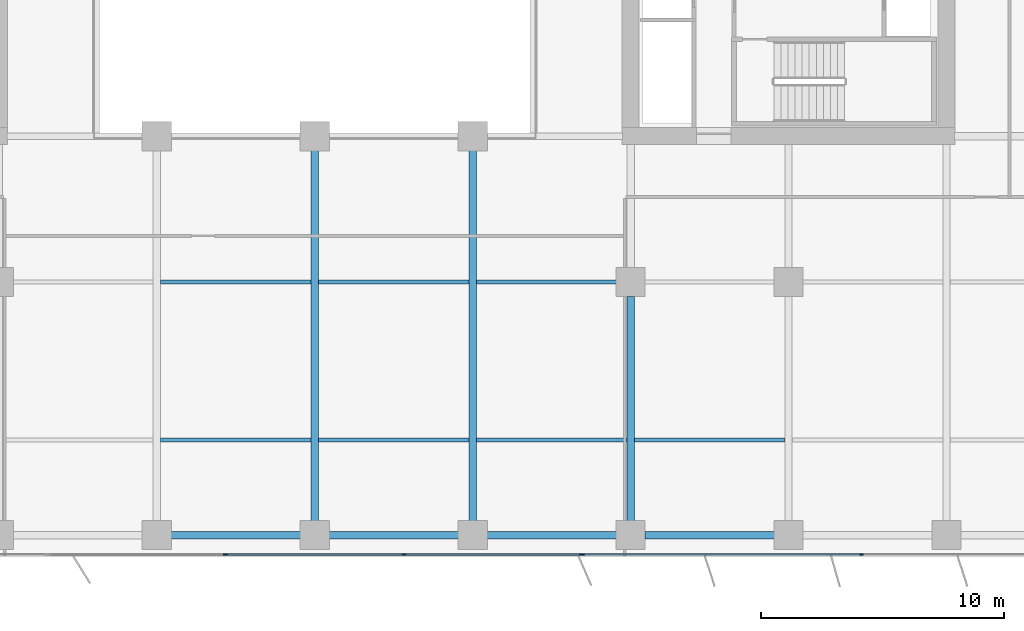
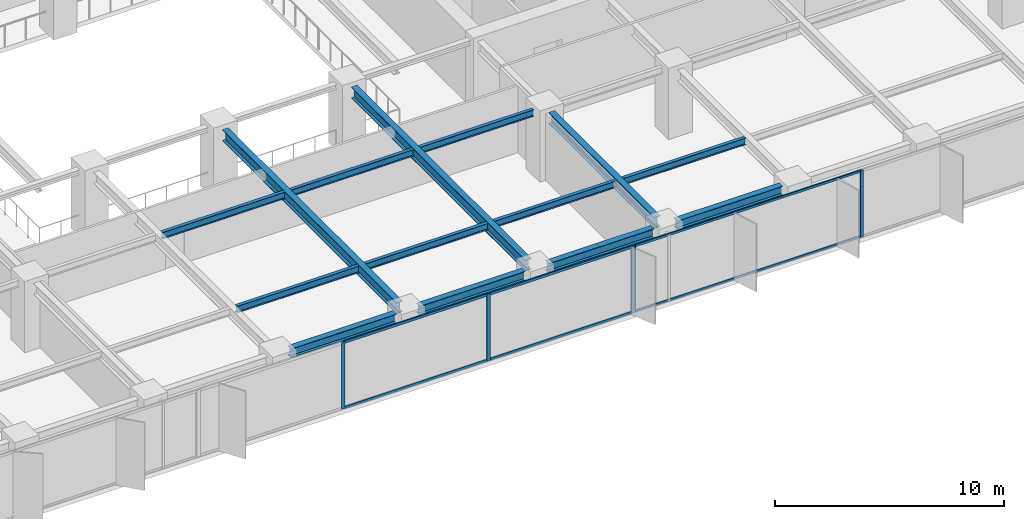
# One storey, part 5 of 20: 14 beams, 11 members, 2 elements without a shape of their own.
"""IFC4 building model written with IfcOpenShell, lengths in metres."""

from ifc_helpers import new_model, si_unit, direction, frame, origin, origin_2d, place, context, subcontext, project, spatial, rectangle, i_section, extrude, material, layer, layer_set, material_profile, profile_set, type_object, element, aggregate, save


model = new_model("IFC4")

# Units and contexts
model_context = context("Model", 3, precision=1e-05, world=origin(), true_north=direction((0.0, 1.0)))
body_context = subcontext(model_context, "Body", "Model", "MODEL_VIEW")
ifc_project = project(units=[si_unit("LENGTHUNIT", "METRE"), si_unit("AREAUNIT", "SQUARE_METRE"), si_unit("VOLUMEUNIT", "CUBIC_METRE"), si_unit("PLANEANGLEUNIT", "RADIAN"), si_unit("MASSUNIT", "GRAM", prefix="KILO")], contexts=[model_context])

# Site, building, storey
site_placement = place(None, origin())
site = spatial("IfcSite", under=ifc_project, at=site_placement, CompositionType="ELEMENT")
building_placement = place(site_placement, origin())
building = spatial("IfcBuilding", under=site, at=building_placement, Name="Putna Gate Headquarters", CompositionType="ELEMENT")
storey_placement = place(building_placement, frame((0.0, 0.0, 89.800048828125)))
storey = spatial("IfcBuildingStorey", under=building, at=storey_placement, Name="L21", CompositionType="ELEMENT", Elevation=89.800048828125)

# Beams
ifc_material_1 = material(Name="Steel S355J2", Category="steel")
ifc_material_profile_1 = material_profile(ifc_material_1, i_section(OverallWidth=0.300048828125, OverallDepth=0.60009765625, WebThickness=0.015380859375, FlangeThickness=0.030029296875, at=origin_2d()), Name="Steel S355J2")
ifc_profile_set_1 = profile_set([ifc_material_profile_1], Name="Steel S355J2")
beam_type_1 = type_object("IfcBeamType", Name="BM-GIRD-Z2-HEB600", PredefinedType="USERDEFINED", material=ifc_profile_set_1)
for number, where, z_axis, x_axis, name in (
    (1, (39.0, 3.16796875, 3.264892578125), (0.0, 1.0, 0.0), (-1.0, 0.0, 0.0), "L21 South Primary Girder X39"),
    (2, (45.5, 3.16796875, 3.264892578125), (0.0, 1.0, 0.0), (-1.0, 0.0, 0.0), "L21 South Primary Girder X45"),
):
    element("IfcBeam", number, at=place(storey_placement, frame(where, z_axis=z_axis, x_axis=x_axis)), inside=storey, type_object=beam_type_1, Name=name, ObjectType="GIRDER", PredefinedType="USERDEFINED", context=body_context, shape_type="SweptSolid", body=[
        extrude(i_section(OverallWidth=0.300048828125, OverallDepth=0.60009765625, WebThickness=0.015380859375, FlangeThickness=0.030029296875, at=origin_2d()), origin(), (0.0, 0.0, 1.0), 15.244140625),
    ])
beam_1_placement = place(storey_placement, frame((52.0, 3.16796875, 3.264892578125), z_axis=(0.0, 1.0, 0.0), x_axis=(-1.0, 0.0, 0.0)))
element("IfcBeam", 3, at=beam_1_placement, inside=storey, type_object=beam_type_1, Name="L21 South Primary Girder X52-1", ObjectType="GIRDER", PredefinedType="USERDEFINED", context=body_context, shape_type="SweptSolid", body=[
    extrude(i_section(OverallWidth=0.300048828125, OverallDepth=0.60009765625, WebThickness=0.015380859375, FlangeThickness=0.030029296875, at=origin_2d()), origin(), (0.0, 0.0, 1.0), 9.244140625),
])
ifc_material_profile_2 = material_profile(ifc_material_1, i_section(OverallWidth=0.169921875, OverallDepth=0.360107421875, WebThickness=0.008056640625, FlangeThickness=0.0126953125, at=origin_2d()), Name="Steel S355J2")
ifc_profile_set_2 = profile_set([ifc_material_profile_2], Name="Steel S355J2")
beam_type_2 = type_object("IfcBeamType", Name="BM-SEC-Z2-IPE360", PredefinedType="BEAM", material=ifc_profile_set_2)
for number, where, z_axis, x_axis, name in (
    (4, (32.654052734375, 6.5, 3.385009765625), (1.0, 0.0, 0.0), (0.0, 1.0, 0.0), "L21 South Secondary Beam 5"),
    (5, (32.654052734375, 13.0, 3.385009765625), (1.0, 0.0, 0.0), (0.0, 1.0, 0.0), "L21 South Secondary Beam 5"),
    (6, (39.154052734375, 6.5, 3.385009765625), (1.0, 0.0, 0.0), (0.0, 1.0, 0.0), "L21 South Secondary Beam 6"),
    (7, (39.154052734375, 13.0, 3.385009765625), (1.0, 0.0, 0.0), (0.0, 1.0, 0.0), "L21 South Secondary Beam 6"),
    (8, (45.654052734375, 6.5, 3.385009765625), (1.0, 0.0, 0.0), (0.0, 1.0, 0.0), "L21 South Secondary Beam 7"),
):
    element("IfcBeam", number, at=place(storey_placement, frame(where, z_axis=z_axis, x_axis=x_axis)), inside=storey, type_object=beam_type_2, Name=name, PredefinedType="BEAM", context=body_context, shape_type="SweptSolid", body=[
        extrude(i_section(OverallWidth=0.169921875, OverallDepth=0.360107421875, WebThickness=0.008056640625, FlangeThickness=0.0126953125, at=origin_2d()), origin(), (0.0, 0.0, 1.0), 6.19189453125),
    ])
beam_2_placement = place(storey_placement, frame((45.654052734375, 13.0, 3.385009765625), z_axis=(1.0, 0.0, 0.0), x_axis=(0.0, 1.0, 0.0)))
element("IfcBeam", 9, at=beam_2_placement, inside=storey, type_object=beam_type_2, Name="L21 South Secondary Beam 7", PredefinedType="BEAM", context=body_context, shape_type="SweptSolid", body=[
    extrude(i_section(OverallWidth=0.169921875, OverallDepth=0.360107421875, WebThickness=0.008056640625, FlangeThickness=0.0126953125, at=origin_2d()), origin(), (0.0, 0.0, 1.0), 5.758056640625),
])
beam_3_placement = place(storey_placement, frame((52.154052734375, 6.5, 3.385009765625), z_axis=(1.0, 0.0, 0.0), x_axis=(0.0, 1.0, 0.0)))
element("IfcBeam", 10, at=beam_3_placement, inside=storey, type_object=beam_type_2, Name="L21 South Secondary Beam 8", PredefinedType="BEAM", context=body_context, shape_type="SweptSolid", body=[
    extrude(i_section(OverallWidth=0.169921875, OverallDepth=0.360107421875, WebThickness=0.008056640625, FlangeThickness=0.0126953125, at=origin_2d()), origin(), (0.0, 0.0, 1.0), 6.19189453125),
])
ifc_material_profile_3 = material_profile(ifc_material_1, i_section(OverallWidth=0.300048828125, OverallDepth=0.489990234375, WebThickness=0.011962890625, FlangeThickness=0.02294921875, at=origin_2d()), Name="Steel S355J2")
ifc_profile_set_3 = profile_set([ifc_material_profile_3], Name="Steel S355J2")
beam_type_3 = type_object("IfcBeamType", Name="BM-SPAN-Z2-HEA500", PredefinedType="SPANDREL", material=ifc_profile_set_3)
for number, where, z_axis, x_axis, name in (
    (11, (33.087890625, 2.580078125, 3.320068359375), (1.0, 0.0, 0.0), (0.0, 1.0, 0.0), "L21 S Perimeter Spandrel 5"),
    (12, (39.587890625, 2.580078125, 3.320068359375), (1.0, 0.0, 0.0), (0.0, 1.0, 0.0), "L21 S Perimeter Spandrel 6"),
    (13, (46.087890625, 2.580078125, 3.320068359375), (1.0, 0.0, 0.0), (0.0, 1.0, 0.0), "L21 S Perimeter Spandrel 7"),
    (14, (52.587890625, 2.580078125, 3.320068359375), (1.0, 0.0, 0.0), (0.0, 1.0, 0.0), "L21 S Perimeter Spandrel 8"),
):
    element("IfcBeam", number, at=place(storey_placement, frame(where, z_axis=z_axis, x_axis=x_axis)), inside=storey, type_object=beam_type_3, Name=name, PredefinedType="SPANDREL", context=body_context, shape_type="SweptSolid", body=[
        extrude(i_section(OverallWidth=0.300048828125, OverallDepth=0.489990234375, WebThickness=0.011962890625, FlangeThickness=0.02294921875, at=origin_2d()), origin(), (0.0, 0.0, 1.0), 5.32421875),
    ])

# Curtain wall, members
ifc_material_2 = material(Name="Anodised bronze aluminium curtain wall", Category="aluminium")
ifc_layer_1 = layer(ifc_material_2, 0.159912109375)
ifc_layer_set_1 = layer_set([ifc_layer_1], Name="Anodised bronze aluminium curtain wall")
curtain_wall_type_1 = type_object("IfcCurtainWallType", Name="CW-SYS-Z2", PredefinedType="USERDEFINED", material=ifc_layer_set_1)
curtain_wall_1_placement = place(storey_placement, origin())
curtain_wall_1 = element("IfcCurtainWall", 15, at=curtain_wall_1_placement, inside=storey, type_object=curtain_wall_type_1, Name="L21 South East Curtain Wall", ObjectType="STICK CURTAIN WALL", PredefinedType="USERDEFINED")
ifc_material_3 = material(Name="Anodised bronze aluminium EN AW-6060", Category="aluminium")
ifc_material_profile_4 = material_profile(ifc_material_3, rectangle(XDim=0.06494140625, YDim=0.159912109375, at=origin_2d()), Name="Anodised bronze aluminium EN AW-6060")
ifc_profile_set_4 = profile_set([ifc_material_profile_4], Name="Anodised bronze aluminium EN AW-6060")
member_type_1 = type_object("IfcMemberType", Name="MULL-CWM-2", PredefinedType="MULLION", material=ifc_profile_set_4)
member_1_placement = place(storey_placement, frame((50.032470703125, 1.780029296875, 0.0), z_axis=(0.0, 0.0, 1.0), x_axis=(0.0, 1.0, 0.0)))
member_1 = element("IfcMember", 16, at=member_1_placement, type_object=member_type_1, Name="CWS-2 mullion 1", PredefinedType="MULLION", context=body_context, shape_type="SweptSolid", body=[
    extrude(rectangle(XDim=0.06494140625, YDim=0.159912109375, at=origin_2d()), origin(), (0.0, 0.0, 1.0), 3.56494140625),
])
member_2_placement = place(storey_placement, frame((61.5, 1.780029296875, 0.0), z_axis=(0.0, 0.0, 1.0), x_axis=(0.0, 1.0, 0.0)))
member_2 = element("IfcMember", 17, at=member_2_placement, type_object=member_type_1, Name="CWS-2 mullion 2", PredefinedType="MULLION", context=body_context, shape_type="SweptSolid", body=[
    extrude(rectangle(XDim=0.06494140625, YDim=0.159912109375, at=origin_2d()), origin(), (0.0, 0.0, 1.0), 3.56494140625),
])

ifc_layer_2 = layer(ifc_material_2, 0.179931640625)
ifc_layer_set_2 = layer_set([ifc_layer_2], Name="Anodised bronze aluminium curtain wall")
curtain_wall_type_2 = type_object("IfcCurtainWallType", Name="CW-SYS-ATR", PredefinedType="USERDEFINED", material=ifc_layer_set_2)
curtain_wall_2_placement = place(storey_placement, origin())
curtain_wall_2 = element("IfcCurtainWall", 18, at=curtain_wall_2_placement, inside=storey, type_object=curtain_wall_type_2, Name="L21 South Atrium Clear Glazing", ObjectType="ATRIUM GLAZING", PredefinedType="USERDEFINED")
ifc_material_profile_5 = material_profile(ifc_material_3, rectangle(XDim=0.070068359375, YDim=0.179931640625, at=origin_2d()), Name="Anodised bronze aluminium EN AW-6060")
ifc_profile_set_5 = profile_set([ifc_material_profile_5], Name="Anodised bronze aluminium EN AW-6060")
member_type_2 = type_object("IfcMemberType", Name="MULL-CWM-AT", PredefinedType="MULLION", material=ifc_profile_set_5)
member_3_placement = place(storey_placement, frame((35.333251953125, 1.780029296875, 0.0), z_axis=(0.0, 0.0, 1.0), x_axis=(0.0, 1.0, 0.0)))
member_3 = element("IfcMember", 19, at=member_3_placement, type_object=member_type_2, Name="CWS-AT mullion 2", PredefinedType="MULLION", context=body_context, shape_type="SweptSolid", body=[
    extrude(rectangle(XDim=0.070068359375, YDim=0.179931640625, at=origin_2d()), origin(), (0.0, 0.0, 1.0), 3.56494140625),
])
member_4_placement = place(storey_placement, frame((42.666748046875, 1.780029296875, 0.0), z_axis=(0.0, 0.0, 1.0), x_axis=(0.0, 1.0, 0.0)))
member_4 = element("IfcMember", 20, at=member_4_placement, type_object=member_type_2, Name="CWS-AT mullion 3", PredefinedType="MULLION", context=body_context, shape_type="SweptSolid", body=[
    extrude(rectangle(XDim=0.070068359375, YDim=0.179931640625, at=origin_2d()), origin(), (0.0, 0.0, 1.0), 3.56494140625),
])
member_5_placement = place(storey_placement, frame((49.965087890625, 1.780029296875, 0.0), z_axis=(0.0, 0.0, 1.0), x_axis=(0.0, 1.0, 0.0)))
member_5 = element("IfcMember", 21, at=member_5_placement, type_object=member_type_2, Name="CWS-AT mullion 4", PredefinedType="MULLION", context=body_context, shape_type="SweptSolid", body=[
    extrude(rectangle(XDim=0.070068359375, YDim=0.179931640625, at=origin_2d()), origin(), (0.0, 0.0, 1.0), 3.56494140625),
])

# Member
ifc_material_profile_6 = material_profile(ifc_material_3, rectangle(XDim=0.06494140625, YDim=0.1201171875, at=origin_2d()), Name="Anodised bronze aluminium EN AW-6060")
ifc_profile_set_6 = profile_set([ifc_material_profile_6], Name="Anodised bronze aluminium EN AW-6060")
member_type_3 = type_object("IfcMemberType", Name="TRAN-CWT-2", PredefinedType="USERDEFINED", material=ifc_profile_set_6)
member_6_placement = place(storey_placement, frame((50.06494140625, 1.780029296875, 0.032470703125), z_axis=(1.0, 0.0, 0.0), x_axis=(0.0, 1.0, 0.0)))
member_6 = element("IfcMember", 22, at=member_6_placement, type_object=member_type_3, Name="CWS-2 transom 1.1", ObjectType="TRANSOM", PredefinedType="USERDEFINED", context=body_context, shape_type="SweptSolid", body=[
    extrude(rectangle(XDim=0.06494140625, YDim=0.1201171875, at=origin_2d()), origin(), (0.0, 0.0, 1.0), 11.402587890625),
])

member_7_placement = place(storey_placement, frame((50.06494140625, 1.780029296875, 3.532470703125), z_axis=(1.0, 0.0, 0.0), x_axis=(0.0, 1.0, 0.0)))
member_7 = element("IfcMember", 23, at=member_7_placement, type_object=member_type_3, Name="CWS-2 transom 1.2", ObjectType="TRANSOM", PredefinedType="USERDEFINED", context=body_context, shape_type="SweptSolid", body=[
    extrude(rectangle(XDim=0.06494140625, YDim=0.1201171875, at=origin_2d()), origin(), (0.0, 0.0, 1.0), 11.402587890625),
])

aggregate(curtain_wall_1, [member_1, member_2, member_6, member_7])

ifc_material_profile_7 = material_profile(ifc_material_3, rectangle(XDim=0.070068359375, YDim=0.139892578125, at=origin_2d()), Name="Anodised bronze aluminium EN AW-6060")
ifc_profile_set_7 = profile_set([ifc_material_profile_7], Name="Anodised bronze aluminium EN AW-6060")
member_type_4 = type_object("IfcMemberType", Name="TRAN-CWT-AT", PredefinedType="USERDEFINED", material=ifc_profile_set_7)
member_8_placement = place(storey_placement, frame((35.368408203125, 1.780029296875, 0.034912109375), z_axis=(1.0, 0.0, 0.0), x_axis=(0.0, 1.0, 0.0)))
member_8 = element("IfcMember", 24, at=member_8_placement, type_object=member_type_4, Name="CWS-AT transom 2.1", ObjectType="TRANSOM", PredefinedType="USERDEFINED", context=body_context, shape_type="SweptSolid", body=[
    extrude(rectangle(XDim=0.070068359375, YDim=0.139892578125, at=origin_2d()), origin(), (0.0, 0.0, 1.0), 7.26318359375),
])

member_9_placement = place(storey_placement, frame((35.368408203125, 1.780029296875, 3.530029296875), z_axis=(1.0, 0.0, 0.0), x_axis=(0.0, 1.0, 0.0)))
member_9 = element("IfcMember", 25, at=member_9_placement, type_object=member_type_4, Name="CWS-AT transom 2.2", ObjectType="TRANSOM", PredefinedType="USERDEFINED", context=body_context, shape_type="SweptSolid", body=[
    extrude(rectangle(XDim=0.070068359375, YDim=0.139892578125, at=origin_2d()), origin(), (0.0, 0.0, 1.0), 7.26318359375),
])

member_10_placement = place(storey_placement, frame((42.70166015625, 1.780029296875, 0.034912109375), z_axis=(1.0, 0.0, 0.0), x_axis=(0.0, 1.0, 0.0)))
member_10 = element("IfcMember", 26, at=member_10_placement, type_object=member_type_4, Name="CWS-AT transom 3.1", ObjectType="TRANSOM", PredefinedType="USERDEFINED", context=body_context, shape_type="SweptSolid", body=[
    extrude(rectangle(XDim=0.070068359375, YDim=0.139892578125, at=origin_2d()), origin(), (0.0, 0.0, 1.0), 7.228271484375),
])

member_11_placement = place(storey_placement, frame((42.70166015625, 1.780029296875, 3.530029296875), z_axis=(1.0, 0.0, 0.0), x_axis=(0.0, 1.0, 0.0)))
member_11 = element("IfcMember", 27, at=member_11_placement, type_object=member_type_4, Name="CWS-AT transom 3.2", ObjectType="TRANSOM", PredefinedType="USERDEFINED", context=body_context, shape_type="SweptSolid", body=[
    extrude(rectangle(XDim=0.070068359375, YDim=0.139892578125, at=origin_2d()), origin(), (0.0, 0.0, 1.0), 7.228271484375),
])

aggregate(curtain_wall_2, [member_3, member_4, member_5, member_8, member_9, member_10, member_11])

save(model, "model.ifc")
